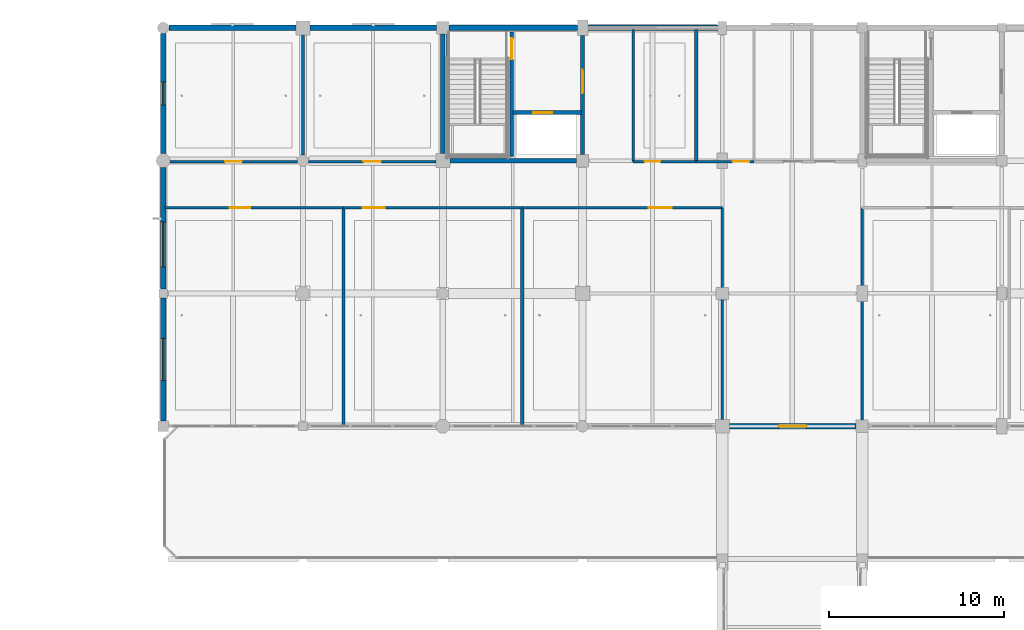
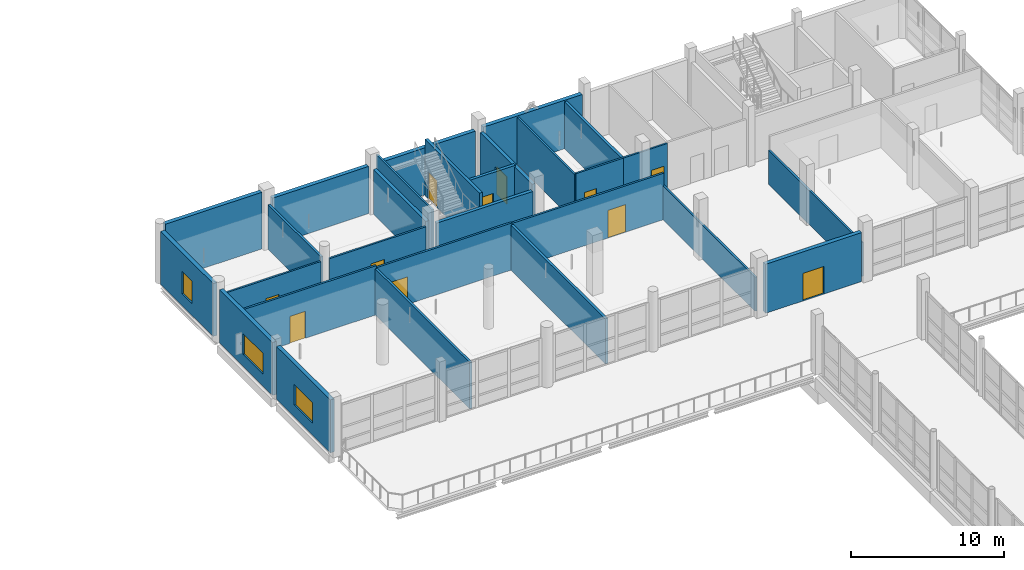
# One storey, part 96 of 141: 28 walls, 11 doors, 3 windows, 14 openings.
"""IFC4 building model written with IfcOpenShell, lengths in metres."""

from ifc_helpers import new_model, si_unit, direction, frame, frame_2d, origin, place, context, subcontext, project, spatial, rectangle, extrude, material, layer, layer_set, type_object, element, fill, save


model = new_model("IFC4")

# Units and contexts
model_context = context("Model", 3, precision=1e-05, world=origin(), true_north=direction((0.0, 1.0)))
body_context = subcontext(model_context, "Body", "Model", "MODEL_VIEW")
ifc_project = project(units=[si_unit("LENGTHUNIT", "METRE"), si_unit("AREAUNIT", "SQUARE_METRE"), si_unit("VOLUMEUNIT", "CUBIC_METRE"), si_unit("PLANEANGLEUNIT", "RADIAN"), si_unit("MASSUNIT", "GRAM", prefix="KILO")], contexts=[model_context])

# Site, building, storey
site_placement = place(None, origin())
site = spatial("IfcSite", under=ifc_project, at=site_placement, CompositionType="ELEMENT")
building_placement = place(site_placement, origin())
building = spatial("IfcBuilding", under=site, at=building_placement, Name="Khelvaren Railside Concert Hall", CompositionType="ELEMENT")
storey_placement = place(building_placement, frame((0.0, 0.0, 10.199951171875)))
storey = spatial("IfcBuildingStorey", under=building, at=storey_placement, Name="L02", CompositionType="ELEMENT", Elevation=10.199951171875)

# Walls
ifc_material_1 = material(Name="Concrete C40/50", Category="concrete")
ifc_layer_1 = layer(ifc_material_1, 0.139892578125)
ifc_layer_set_1 = layer_set([ifc_layer_1], Name="Concrete C40/50")
wall_type_1 = type_object("IfcWallType", Name="CW17", PredefinedType="SOLIDWALL", material=ifc_layer_set_1)
wall_1_placement = place(storey_placement, frame((144.27490234375, 106.550048828125, 0.0), z_axis=(0.0, 0.0, 1.0), x_axis=(0.0, 1.0, 0.0)))
element("IfcWall", 1, at=wall_1_placement, inside=storey, type_object=wall_type_1, Name="Core Shaft Structural Liner Wall ST-09-L02", PredefinedType="SOLIDWALL", context=body_context, shape_type="SweptSolid", body=[
    extrude(rectangle(XDim=7.300048828125, YDim=0.139892578125, at=frame_2d((3.64990234375, 0.0))), origin(), (0.0, 0.0, 1.0), 4.52001953125),
])
ifc_layer_2 = layer(ifc_material_1, 0.25)
ifc_layer_set_2 = layer_set([ifc_layer_2], Name="Concrete C40/50")
wall_type_2 = type_object("IfcWallType", Name="CW82", PredefinedType="SOLIDWALL", material=ifc_layer_set_2)
wall_2_placement = place(storey_placement, frame((144.0, 106.800048828125, 0.0), z_axis=(0.0, 0.0, 1.0), x_axis=(0.0, 1.0, 0.0)))
element("IfcWall", 2, at=wall_2_placement, inside=storey, type_object=wall_type_2, Name="Core Enclosure Wall CWALL-ST-09-L02-W", PredefinedType="SOLIDWALL", context=body_context, shape_type="SweptSolid", body=[
    extrude(rectangle(XDim=6.849853515625, YDim=0.25, at=frame_2d((3.4248046875, 0.0))), origin(), (0.0, 0.0, 1.0), 3.56005859375),
])
wall_3_placement = place(storey_placement, frame((144.39990234375, 106.39990234375, 0.0), z_axis=(0.0, 0.0, 1.0), x_axis=(1.0, 0.0, 0.0)))
element("IfcWall", 3, at=wall_3_placement, inside=storey, type_object=wall_type_2, Name="Core Enclosure Wall CWALL-ST-09-L02-S", PredefinedType="SOLIDWALL", context=body_context, shape_type="SweptSolid", body=[
    extrude(rectangle(XDim=7.25, YDim=0.25, at=frame_2d((3.625, 0.0))), origin(), (0.0, 0.0, 1.0), 3.56005859375),
])

# Wall, opening, door
wall_4_placement = place(storey_placement, frame((152.0, 106.75, 0.0), z_axis=(0.0, 0.0, 1.0), x_axis=(0.0, 1.0, 0.0)))
wall_4 = element("IfcWall", 4, at=wall_4_placement, inside=storey, type_object=wall_type_2, Name="Core Enclosure Wall CWALL-ST-09-L02-E", PredefinedType="SOLIDWALL", context=body_context, shape_type="SweptSolid", body=[
    extrude(rectangle(XDim=6.800048828125, YDim=0.25, at=frame_2d((3.39990234375, 0.0))), origin(), (0.0, 0.0, 1.0), 3.760009765625),
])
opening_1_placement = place(wall_4_placement, frame((3.5, 0.0, 0.0)))
opening_1 = element("IfcOpeningElement", 5, at=opening_1_placement, cuts=wall_4, Name="Opening FDR34", PredefinedType="OPENING", context=body_context, shape_type="SweptSolid", body=[
    extrude(rectangle(XDim=1.35009765625, YDim=2.199951171875, at=frame_2d((0.675048828125, 1.10009765625))), frame((0.0, 0.135009765625, 0.0), z_axis=(0.0, -1.0, 0.0), x_axis=(1.0, 0.0, 0.0)), (0.0, 0.0, 1.0), 0.27001953125),
])
ifc_material_2 = material(Name="Acoustic fire-rated timber-core steel frame door", Category="steel")
door_type_1 = type_object("IfcDoorType", Name="FDR34", OperationType="NOTDEFINED", PredefinedType="DOOR", material=ifc_material_2)
door_1_placement = place(opening_1_placement, origin())
door_1 = element("IfcDoor", 6, at=door_1_placement, inside=storey, type_object=door_type_1, Name="Interior Door DR-ST-09-L02-LOB", OperationType="SINGLE_SWING_LEFT", OverallHeight=2.199951171875, OverallWidth=1.35009765625, PredefinedType="DOOR", context=body_context, shape_type="SweptSolid", body=[
    extrude(rectangle(XDim=1.35009765625, YDim=2.199951171875, at=frame_2d((0.675048828125, 1.10009765625))), frame((0.0, 0.02490234375, 0.0), z_axis=(0.0, -1.0, 0.0), x_axis=(1.0, 0.0, 0.0)), (0.0, 0.0, 1.0), 0.050048828125),
])
fill(opening_1, door_1)

ifc_layer_3 = layer(ifc_material_1, 0.219970703125)
ifc_layer_set_3 = layer_set([ifc_layer_3], Name="Concrete C40/50")
wall_type_3 = type_object("IfcWallType", Name="CW97", PredefinedType="SOLIDWALL", material=ifc_layer_set_3)
wall_5_placement = place(storey_placement, frame((147.949951171875, 106.64990234375, 0.0), z_axis=(0.0, 0.0, 1.0), x_axis=(0.0, 1.0, 0.0)))
wall_5 = element("IfcWall", 7, at=wall_5_placement, inside=storey, type_object=wall_type_3, Name="Core Enclosure Wall CWALL-ST-09-L02-MID", PredefinedType="SOLIDWALL", context=body_context, shape_type="SweptSolid", body=[
    extrude(rectangle(XDim=7.10009765625, YDim=0.219970703125, at=frame_2d((3.550048828125, 0.0))), origin(), (0.0, 0.0, 1.0), 4.52001953125),
])
opening_2_placement = place(wall_5_placement, frame((5.550048828125, 0.0, 0.0)))
opening_2 = element("IfcOpeningElement", 8, at=opening_2_placement, cuts=wall_5, Name="Opening FDR17", PredefinedType="OPENING", context=body_context, shape_type="SweptSolid", body=[
    extrude(rectangle(XDim=1.199951171875, YDim=2.14990234375, at=frame_2d((0.60009765625, 1.074951171875))), frame((0.0, 0.119873046875, 0.0), z_axis=(0.0, -1.0, 0.0), x_axis=(1.0, 0.0, 0.0)), (0.0, 0.0, 1.0), 0.239990234375),
])
door_type_2 = type_object("IfcDoorType", Name="FDR17", OperationType="NOTDEFINED", PredefinedType="DOOR", material=ifc_material_2)
door_2_placement = place(opening_2_placement, origin())
door_2 = element("IfcDoor", 9, at=door_2_placement, inside=storey, type_object=door_type_2, Name="Interior Door DR-ST-09-L02-ST", OperationType="SINGLE_SWING_RIGHT", OverallHeight=2.14990234375, OverallWidth=1.199951171875, PredefinedType="DOOR", context=body_context, shape_type="SweptSolid", body=[
    extrude(rectangle(XDim=1.199951171875, YDim=2.14990234375, at=frame_2d((0.60009765625, 1.074951171875))), frame((0.0, 0.02490234375, 0.0), z_axis=(0.0, -1.0, 0.0), x_axis=(1.0, 0.0, 0.0)), (0.0, 0.0, 1.0), 0.050048828125),
])
fill(opening_2, door_2)

wall_6_placement = place(storey_placement, frame((148.02001953125, 109.14990234375, 0.0), z_axis=(0.0, 0.0, 1.0), x_axis=(1.0, 0.0, 0.0)))
wall_6 = element("IfcWall", 10, at=wall_6_placement, inside=storey, type_object=wall_type_3, Name="Core Enclosure Wall CWALL-ST-09-L02-SHF", PredefinedType="SOLIDWALL", context=body_context, shape_type="SweptSolid", body=[
    extrude(rectangle(XDim=3.929931640625, YDim=0.219970703125, at=frame_2d((1.96484375, 0.0))), origin(), (0.0, 0.0, 1.0), 3.8701171875),
])
opening_3_placement = place(wall_6_placement, frame((1.14990234375, 0.0, 0.0)))
opening_3 = element("IfcOpeningElement", 11, at=opening_3_placement, cuts=wall_6, Name="Opening LD-FL-02", PredefinedType="OPENING", context=body_context, shape_type="SweptSolid", body=[
    extrude(rectangle(XDim=1.10009765625, YDim=2.199951171875, at=frame_2d((0.550048828125, 1.10009765625))), frame((0.0, 0.119873046875, 0.0), z_axis=(0.0, -1.0, 0.0), x_axis=(1.0, 0.0, 0.0)), (0.0, 0.0, 1.0), 0.239990234375),
])
ifc_material_3 = material(Name="Fire-rated brushed stainless steel landing door", Category="steel")
door_type_3 = type_object("IfcDoorType", Name="LD96", OperationType="DOUBLE_DOOR_SLIDING", PredefinedType="DOOR", material=ifc_material_3)
door_3_placement = place(opening_3_placement, origin())
door_3 = element("IfcDoor", 12, at=door_3_placement, inside=storey, type_object=door_type_3, Name="Lift Landing Door LD-FL-02-L02", OperationType="DOUBLE_DOOR_SLIDING", OverallHeight=2.199951171875, OverallWidth=1.10009765625, PredefinedType="DOOR", context=body_context, shape_type="SweptSolid", body=[
    extrude(rectangle(XDim=1.10009765625, YDim=2.199951171875, at=frame_2d((0.550048828125, 1.10009765625))), frame((0.0, 0.02490234375, 0.0), z_axis=(0.0, -1.0, 0.0), x_axis=(1.0, 0.0, 0.0)), (0.0, 0.0, 1.0), 0.050048828125),
])
fill(opening_3, door_3)

ifc_material_4 = material(Name="Board-marked architectural concrete C40/50", Category="concrete")
ifc_layer_4 = layer(ifc_material_4, 0.300048828125)
ifc_layer_set_4 = layer_set([ifc_layer_4], Name="Board-marked architectural concrete C40/50")
wall_type_4 = type_object("IfcWallType", Name="EW54", PredefinedType="SOLIDWALL", material=ifc_layer_set_4)
wall_7_placement = place(storey_placement, frame((167.64990234375, 91.199951171875, 0.0), z_axis=(0.0, 0.0, 1.0), x_axis=(-1.0, 0.0, 0.0)))
wall_7 = element("IfcWall", 13, at=wall_7_placement, inside=storey, type_object=wall_type_4, Name="V5 L02 Exterior Concrete Wall S-160", PredefinedType="SOLIDWALL", context=body_context, shape_type="SweptSolid", body=[
    extrude(rectangle(XDim=7.25, YDim=0.300048828125, at=frame_2d((3.625, 0.0))), origin(), (0.0, 0.0, 1.0), 3.91015625),
])
opening_4_placement = place(wall_7_placement, frame((2.824951171875, 0.0, 0.0)))
opening_4 = element("IfcOpeningElement", 14, at=opening_4_placement, cuts=wall_7, Name="Opening TDR21", PredefinedType="OPENING", context=body_context, shape_type="SweptSolid", body=[
    extrude(rectangle(XDim=1.60009765625, YDim=2.199951171875, at=frame_2d((0.800048828125, 1.10009765625))), frame((0.0, 0.159912109375, 0.0), z_axis=(0.0, -1.0, 0.0), x_axis=(1.0, 0.0, 0.0)), (0.0, 0.0, 1.0), 0.320068359375),
])
ifc_material_5 = material(Name="Glazed thermally broken terrace door", Category="aluminium")
door_type_4 = type_object("IfcDoorType", Name="TDR21", OperationType="NOTDEFINED", PredefinedType="DOOR", material=ifc_material_5)
door_4_placement = place(opening_4_placement, origin())
door_4 = element("IfcDoor", 15, at=door_4_placement, inside=storey, type_object=door_type_4, Name="V5 L02 Outdoor Terrace Access Door", OperationType="SINGLE_SWING_RIGHT", OverallHeight=2.199951171875, OverallWidth=1.60009765625, PredefinedType="DOOR", context=body_context, shape_type="SweptSolid", body=[
    extrude(rectangle(XDim=1.60009765625, YDim=2.199951171875, at=frame_2d((0.800048828125, 1.10009765625))), frame((0.0, 0.02490234375, 0.0), z_axis=(0.0, -1.0, 0.0), x_axis=(1.0, 0.0, 0.0)), (0.0, 0.0, 1.0), 0.050048828125),
])
fill(opening_4, door_4)

# Wall, opening, window
wall_8_placement = place(storey_placement, frame((128.0, 91.5, 0.0), z_axis=(0.0, 0.0, 1.0), x_axis=(0.0, 1.0, 0.0)))
wall_8 = element("IfcWall", 16, at=wall_8_placement, inside=storey, type_object=wall_type_4, Name="V5 L02 Exterior Concrete Wall W-91", PredefinedType="SOLIDWALL", context=body_context, shape_type="SweptSolid", body=[
    extrude(rectangle(XDim=7.050048828125, YDim=0.300048828125, at=frame_2d((3.52490234375, 0.0))), origin(), (0.0, 0.0, 1.0), 4.219970703125),
])
opening_5_placement = place(wall_8_placement, frame((2.324951171875, 0.0, 0.949951171875)))
opening_5 = element("IfcOpeningElement", 17, at=opening_5_placement, cuts=wall_8, Name="Opening WN15", PredefinedType="OPENING", context=body_context, shape_type="SweptSolid", body=[
    extrude(rectangle(XDim=2.39990234375, YDim=1.64990234375, at=frame_2d((1.199951171875, 0.824951171875))), frame((0.0, 0.159912109375, 0.0), z_axis=(0.0, -1.0, 0.0), x_axis=(1.0, 0.0, 0.0)), (0.0, 0.0, 1.0), 0.320068359375),
])
ifc_material_6 = material(Name="Triple-glazed acoustic aluminium window", Category="aluminium")
window_type_1 = type_object("IfcWindowType", Name="WN15", PartitioningType="DOUBLE_PANEL_VERTICAL", PredefinedType="WINDOW", material=ifc_material_6)
window_1_placement = place(opening_5_placement, origin())
window_1 = element("IfcWindow", 18, at=window_1_placement, inside=storey, type_object=window_type_1, Name="Acoustic Facade Window EW-V5-L02-W-91", OverallHeight=1.64990234375, OverallWidth=2.39990234375, PartitioningType="DOUBLE_PANEL_VERTICAL", PredefinedType="WINDOW", context=body_context, shape_type="SweptSolid", body=[
    extrude(rectangle(XDim=2.39990234375, YDim=1.64990234375, at=frame_2d((1.199951171875, 0.824951171875))), frame((0.0, 0.030029296875, 0.0), z_axis=(0.0, -1.0, 0.0), x_axis=(1.0, 0.0, 0.0)), (0.0, 0.0, 1.0), 0.06005859375),
])
fill(opening_5, window_1)

wall_9_placement = place(storey_placement, frame((128.0, 99.050048828125, 0.0), z_axis=(0.0, 0.0, 1.0), x_axis=(0.0, 1.0, 0.0)))
wall_9 = element("IfcWall", 19, at=wall_9_placement, inside=storey, type_object=wall_type_4, Name="V5 L02 Exterior Concrete Wall W-99", PredefinedType="SOLIDWALL", context=body_context, shape_type="SweptSolid", body=[
    extrude(rectangle(XDim=6.949951171875, YDim=0.300048828125, at=frame_2d((3.47509765625, 0.0))), origin(), (0.0, 0.0, 1.0), 4.219970703125),
])
opening_6_placement = place(wall_9_placement, frame((1.25, 0.0, 0.949951171875)))
opening_6 = element("IfcOpeningElement", 20, at=opening_6_placement, cuts=wall_9, Name="Opening WN31", PredefinedType="OPENING", context=body_context, shape_type="SweptSolid", body=[
    extrude(rectangle(XDim=2.60009765625, YDim=1.64990234375, at=frame_2d((1.300048828125, 0.824951171875))), frame((0.0, 0.159912109375, 0.0), z_axis=(0.0, -1.0, 0.0), x_axis=(1.0, 0.0, 0.0)), (0.0, 0.0, 1.0), 0.320068359375),
])
window_type_2 = type_object("IfcWindowType", Name="WN31", PartitioningType="DOUBLE_PANEL_VERTICAL", PredefinedType="WINDOW", material=ifc_material_6)
window_2_placement = place(opening_6_placement, origin())
window_2 = element("IfcWindow", 21, at=window_2_placement, inside=storey, type_object=window_type_2, Name="Acoustic Facade Window EW-V5-L02-W-99", OverallHeight=1.64990234375, OverallWidth=2.60009765625, PartitioningType="DOUBLE_PANEL_VERTICAL", PredefinedType="WINDOW", context=body_context, shape_type="SweptSolid", body=[
    extrude(rectangle(XDim=2.60009765625, YDim=1.64990234375, at=frame_2d((1.300048828125, 0.824951171875))), frame((0.0, 0.030029296875, 0.0), z_axis=(0.0, -1.0, 0.0), x_axis=(1.0, 0.0, 0.0)), (0.0, 0.0, 1.0), 0.06005859375),
])
fill(opening_6, window_2)

wall_10_placement = place(storey_placement, frame((128.0, 106.800048828125, 0.0), z_axis=(0.0, 0.0, 1.0), x_axis=(0.0, 1.0, 0.0)))
wall_10 = element("IfcWall", 22, at=wall_10_placement, inside=storey, type_object=wall_type_4, Name="V5 L02 Exterior Concrete Wall W-106", PredefinedType="SOLIDWALL", context=body_context, shape_type="SweptSolid", body=[
    extrude(rectangle(XDim=6.875, YDim=0.300048828125, at=frame_2d((3.4375, 0.0))), origin(), (0.0, 0.0, 1.0), 4.219970703125),
])
opening_7_placement = place(wall_10_placement, frame((2.78759765625, 0.0, 0.949951171875)))
opening_7 = element("IfcOpeningElement", 23, at=opening_7_placement, cuts=wall_10, Name="Opening WN95", PredefinedType="OPENING", context=body_context, shape_type="SweptSolid", body=[
    extrude(rectangle(XDim=1.300048828125, YDim=1.800048828125, at=frame_2d((0.64990234375, 0.89990234375))), frame((0.0, 0.159912109375, 0.0), z_axis=(0.0, -1.0, 0.0), x_axis=(1.0, 0.0, 0.0)), (0.0, 0.0, 1.0), 0.320068359375),
])
window_type_3 = type_object("IfcWindowType", Name="WN95", PartitioningType="SINGLE_PANEL", PredefinedType="WINDOW", material=ifc_material_6)
window_3_placement = place(opening_7_placement, origin())
window_3 = element("IfcWindow", 24, at=window_3_placement, inside=storey, type_object=window_type_3, Name="Acoustic Facade Window EW-V5-L02-W-106", OverallHeight=1.800048828125, OverallWidth=1.300048828125, PartitioningType="SINGLE_PANEL", PredefinedType="WINDOW", context=body_context, shape_type="SweptSolid", body=[
    extrude(rectangle(XDim=1.300048828125, YDim=1.800048828125, at=frame_2d((0.64990234375, 0.89990234375))), frame((0.0, 0.030029296875, 0.0), z_axis=(0.0, -1.0, 0.0), x_axis=(1.0, 0.0, 0.0)), (0.0, 0.0, 1.0), 0.06005859375),
])
fill(opening_7, window_3)

# Walls
wall_11_placement = place(storey_placement, frame((128.324951171875, 114.0, 0.0), z_axis=(0.0, 0.0, 1.0), x_axis=(1.0, 0.0, 0.0)))
element("IfcWall", 25, at=wall_11_placement, inside=storey, type_object=wall_type_4, Name="V5 L02 Exterior Concrete Wall N-128", PredefinedType="SOLIDWALL", context=body_context, shape_type="SweptSolid", body=[
    extrude(rectangle(XDim=7.275146484375, YDim=0.300048828125, at=frame_2d((3.6376953125, 0.0))), origin(), (0.0, 0.0, 1.0), 4.52001953125),
])
wall_12_placement = place(storey_placement, frame((136.39990234375, 114.0, 0.0), z_axis=(0.0, 0.0, 1.0), x_axis=(1.0, 0.0, 0.0)))
element("IfcWall", 26, at=wall_12_placement, inside=storey, type_object=wall_type_4, Name="V5 L02 Exterior Concrete Wall N-136", PredefinedType="SOLIDWALL", context=body_context, shape_type="SweptSolid", body=[
    extrude(rectangle(XDim=7.25, YDim=0.300048828125, at=frame_2d((3.625, 0.0))), origin(), (0.0, 0.0, 1.0), 3.760009765625),
])
wall_13_placement = place(storey_placement, frame((144.35009765625, 114.0, 0.0), z_axis=(0.0, 0.0, 1.0), x_axis=(1.0, 0.0, 0.0)))
element("IfcWall", 27, at=wall_13_placement, inside=storey, type_object=wall_type_4, Name="V5 L02 Exterior Concrete Wall N-144", PredefinedType="SOLIDWALL", context=body_context, shape_type="SweptSolid", body=[
    extrude(rectangle(XDim=7.349853515625, YDim=0.300048828125, at=frame_2d((3.6748046875, 0.0))), origin(), (0.0, 0.0, 1.0), 3.760009765625),
])
wall_14_placement = place(storey_placement, frame((152.300048828125, 114.0, 0.0), z_axis=(0.0, 0.0, 1.0), x_axis=(1.0, 0.0, 0.0)))
element("IfcWall", 28, at=wall_14_placement, inside=storey, type_object=wall_type_4, Name="V5 L02 Exterior Concrete Wall N-152", PredefinedType="SOLIDWALL", context=body_context, shape_type="SweptSolid", body=[
    extrude(rectangle(XDim=7.449951171875, YDim=0.300048828125, at=frame_2d((3.72509765625, 0.0))), origin(), (0.0, 0.0, 1.0), 3.860107421875),
])
ifc_material_7 = material(Name="Acoustic double-stud gypsum partition", Category="gypsum")
ifc_layer_5 = layer(ifc_material_7, 0.18994140625)
ifc_layer_set_5 = layer_set([ifc_layer_5], Name="Acoustic double-stud gypsum partition")
wall_type_5 = type_object("IfcWallType", Name="PT17", PredefinedType="PARTITIONING", material=ifc_layer_set_5)
wall_15_placement = place(storey_placement, frame((148.555908203125, 91.280029296875, 0.0), z_axis=(0.0, 0.0, 1.0), x_axis=(0.0, 1.0, 0.0)))
element("IfcWall", 29, at=wall_15_placement, inside=storey, type_object=wall_type_5, Name="Acoustic Partition Wall PW-V5-L02-S1-D02", PredefinedType="PARTITIONING", context=body_context, shape_type="SweptSolid", body=[
    extrude(rectangle(XDim=12.419921875, YDim=0.18994140625, at=frame_2d((6.2099609375, 0.0))), origin(), (0.0, 0.0, 1.0), 3.594970703125),
])

# Wall, opening, door
ifc_layer_6 = layer(ifc_material_7, 0.139892578125)
ifc_layer_set_6 = layer_set([ifc_layer_6], Name="Acoustic double-stud gypsum partition")
wall_type_6 = type_object("IfcWallType", Name="PT55", PredefinedType="PARTITIONING", material=ifc_layer_set_6)
wall_16_placement = place(storey_placement, frame((128.39990234375, 106.35009765625, 0.0), z_axis=(0.0, 0.0, 1.0), x_axis=(1.0, 0.0, 0.0)))
wall_16 = element("IfcWall", 30, at=wall_16_placement, inside=storey, type_object=wall_type_6, Name="Acoustic Partition Wall PW-V5-L02-NW-C01", PredefinedType="PARTITIONING", context=body_context, shape_type="SweptSolid", body=[
    extrude(rectangle(XDim=7.275146484375, YDim=0.139892578125, at=frame_2d((3.6376953125, 0.0))), origin(), (0.0, 0.0, 1.0), 3.56005859375),
])
opening_8_placement = place(wall_16_placement, frame((3.137451171875, 0.0, 0.0)))
opening_8 = element("IfcOpeningElement", 31, at=opening_8_placement, cuts=wall_16, Name="Opening IDR50", PredefinedType="OPENING", context=body_context, shape_type="SweptSolid", body=[
    extrude(rectangle(XDim=0.9599609375, YDim=2.050048828125, at=frame_2d((0.47998046875, 1.02490234375))), frame((0.0, 0.079833984375, 0.0), z_axis=(0.0, -1.0, 0.0), x_axis=(1.0, 0.0, 0.0)), (0.0, 0.0, 1.0), 0.159912109375),
])
ifc_material_8 = material(Name="Solid oak acoustic studio door", Category="wood")
door_type_5 = type_object("IfcDoorType", Name="IDR50", OperationType="NOTDEFINED", PredefinedType="DOOR", material=ifc_material_8)
door_5_placement = place(opening_8_placement, origin())
door_5 = element("IfcDoor", 32, at=door_5_placement, inside=storey, type_object=door_type_5, Name="Interior Door DR-V5-L02-NW-01", OperationType="SINGLE_SWING_LEFT", OverallHeight=2.050048828125, OverallWidth=0.9599609375, PredefinedType="DOOR", context=body_context, shape_type="SweptSolid", body=[
    extrude(rectangle(XDim=0.9599609375, YDim=2.050048828125, at=frame_2d((0.47998046875, 1.02490234375))), frame((0.0, 0.02490234375, 0.0), z_axis=(0.0, -1.0, 0.0), x_axis=(1.0, 0.0, 0.0)), (0.0, 0.0, 1.0), 0.050048828125),
])
fill(opening_8, door_5)

wall_17_placement = place(storey_placement, frame((136.324951171875, 106.35009765625, 0.0), z_axis=(0.0, 0.0, 1.0), x_axis=(1.0, 0.0, 0.0)))
wall_17 = element("IfcWall", 33, at=wall_17_placement, inside=storey, type_object=wall_type_6, Name="Acoustic Partition Wall PW-V5-L02-NW-C02", PredefinedType="PARTITIONING", context=body_context, shape_type="SweptSolid", body=[
    extrude(rectangle(XDim=7.275146484375, YDim=0.139892578125, at=frame_2d((3.6376953125, 0.0))), origin(), (0.0, 0.0, 1.0), 3.56005859375),
])
opening_9_placement = place(wall_17_placement, frame((3.137451171875, 0.0, 0.0)))
opening_9 = element("IfcOpeningElement", 34, at=opening_9_placement, cuts=wall_17, Name="Opening IDR21", PredefinedType="OPENING", context=body_context, shape_type="SweptSolid", body=[
    extrude(rectangle(XDim=1.0, YDim=2.050048828125, at=frame_2d((0.5, 1.02490234375))), frame((0.0, 0.079833984375, 0.0), z_axis=(0.0, -1.0, 0.0), x_axis=(1.0, 0.0, 0.0)), (0.0, 0.0, 1.0), 0.159912109375),
])
door_type_6 = type_object("IfcDoorType", Name="IDR21", OperationType="NOTDEFINED", PredefinedType="DOOR", material=ifc_material_8)
door_6_placement = place(opening_9_placement, origin())
door_6 = element("IfcDoor", 35, at=door_6_placement, inside=storey, type_object=door_type_6, Name="Interior Door DR-V5-L02-NW-02", OperationType="SINGLE_SWING_RIGHT", OverallHeight=2.050048828125, OverallWidth=1.0, PredefinedType="DOOR", context=body_context, shape_type="SweptSolid", body=[
    extrude(rectangle(XDim=1.0, YDim=2.050048828125, at=frame_2d((0.5, 1.02490234375))), frame((0.0, 0.02490234375, 0.0), z_axis=(0.0, -1.0, 0.0), x_axis=(1.0, 0.0, 0.0)), (0.0, 0.0, 1.0), 0.050048828125),
])
fill(opening_9, door_6)

wall_18_placement = place(storey_placement, frame((154.89990234375, 106.35009765625, 0.0), z_axis=(0.0, 0.0, 1.0), x_axis=(1.0, 0.0, 0.0)))
wall_18 = element("IfcWall", 36, at=wall_18_placement, inside=storey, type_object=wall_type_6, Name="Acoustic Partition Wall PW-V5-L02-N-C01", PredefinedType="PARTITIONING", context=body_context, shape_type="SweptSolid", body=[
    extrude(rectangle(XDim=3.606201171875, YDim=0.139892578125, at=frame_2d((1.80322265625, 0.0))), origin(), (0.0, 0.0, 1.0), 3.820068359375),
])
opening_10_placement = place(wall_18_placement, frame((0.6533203125, 0.0, 0.0)))
opening_10 = element("IfcOpeningElement", 37, at=opening_10_placement, cuts=wall_18, Name="Opening IDR56", PredefinedType="OPENING", context=body_context, shape_type="SweptSolid", body=[
    extrude(rectangle(XDim=0.89990234375, YDim=2.10009765625, at=frame_2d((0.449951171875, 1.050048828125))), frame((0.0, 0.079833984375, 0.0), z_axis=(0.0, -1.0, 0.0), x_axis=(1.0, 0.0, 0.0)), (0.0, 0.0, 1.0), 0.159912109375),
])
door_type_7 = type_object("IfcDoorType", Name="IDR56", OperationType="NOTDEFINED", PredefinedType="DOOR", material=ifc_material_8)
door_7_placement = place(opening_10_placement, origin())
door_7 = element("IfcDoor", 38, at=door_7_placement, inside=storey, type_object=door_type_7, Name="Interior Door DR-V5-L02-N-01", OperationType="SINGLE_SWING_LEFT", OverallHeight=2.10009765625, OverallWidth=0.89990234375, PredefinedType="DOOR", context=body_context, shape_type="SweptSolid", body=[
    extrude(rectangle(XDim=0.89990234375, YDim=2.10009765625, at=frame_2d((0.449951171875, 1.050048828125))), frame((0.0, 0.02490234375, 0.0), z_axis=(0.0, -1.0, 0.0), x_axis=(1.0, 0.0, 0.0)), (0.0, 0.0, 1.0), 0.050048828125),
])
fill(opening_10, door_7)

wall_19_placement = place(storey_placement, frame((158.506103515625, 106.35009765625, 0.0), z_axis=(0.0, 0.0, 1.0), x_axis=(1.0, 0.0, 0.0)))
wall_19 = element("IfcWall", 39, at=wall_19_placement, inside=storey, type_object=wall_type_6, Name="Acoustic Partition Wall PW-V5-L02-N-C02", PredefinedType="PARTITIONING", context=body_context, shape_type="SweptSolid", body=[
    extrude(rectangle(XDim=3.304931640625, YDim=0.139892578125, at=frame_2d((1.65234375, 0.0))), origin(), (0.0, 0.0, 1.0), 3.820068359375),
])
opening_11_placement = place(wall_19_placement, frame((2.0849609375, 0.0, 0.0)))
opening_11 = element("IfcOpeningElement", 40, at=opening_11_placement, cuts=wall_19, Name="Opening IDR22", PredefinedType="OPENING", context=body_context, shape_type="SweptSolid", body=[
    extrude(rectangle(XDim=0.9599609375, YDim=2.10009765625, at=frame_2d((0.47998046875, 1.050048828125))), frame((0.0, 0.079833984375, 0.0), z_axis=(0.0, -1.0, 0.0), x_axis=(1.0, 0.0, 0.0)), (0.0, 0.0, 1.0), 0.159912109375),
])
door_type_8 = type_object("IfcDoorType", Name="IDR22", OperationType="NOTDEFINED", PredefinedType="DOOR", material=ifc_material_8)
door_8_placement = place(opening_11_placement, origin())
door_8 = element("IfcDoor", 41, at=door_8_placement, inside=storey, type_object=door_type_8, Name="Interior Door DR-V5-L02-N-02", OperationType="SINGLE_SWING_RIGHT", OverallHeight=2.10009765625, OverallWidth=0.9599609375, PredefinedType="DOOR", context=body_context, shape_type="SweptSolid", body=[
    extrude(rectangle(XDim=0.9599609375, YDim=2.10009765625, at=frame_2d((0.47998046875, 1.050048828125))), frame((0.0, 0.02490234375, 0.0), z_axis=(0.0, -1.0, 0.0), x_axis=(1.0, 0.0, 0.0)), (0.0, 0.0, 1.0), 0.050048828125),
])
fill(opening_11, door_8)

# Wall
wall_20_placement = place(storey_placement, frame((154.89990234375, 106.35009765625, 0.0), z_axis=(0.0, 0.0, 1.0), x_axis=(0.0, 1.0, 0.0)))
element("IfcWall", 42, at=wall_20_placement, inside=storey, type_object=wall_type_6, Name="Acoustic Partition Wall PW-V5-L02-N-W0", PredefinedType="PARTITIONING", context=body_context, shape_type="SweptSolid", body=[
    extrude(rectangle(XDim=7.56982421875, YDim=0.139892578125, at=frame_2d((3.784912109375, 0.0))), origin(), (0.0, 0.0, 1.0), 3.7451171875),
])

# Wall, opening, door
ifc_layer_7 = layer(ifc_material_7, 0.14990234375)
ifc_layer_set_7 = layer_set([ifc_layer_7], Name="Acoustic double-stud gypsum partition")
wall_type_7 = type_object("IfcWallType", Name="PT72", PredefinedType="PARTITIONING", material=ifc_layer_set_7)
wall_21_placement = place(storey_placement, frame((128.080078125, 103.699951171875, 0.0), z_axis=(0.0, 0.0, 1.0), x_axis=(1.0, 0.0, 0.0)))
wall_21 = element("IfcWall", 43, at=wall_21_placement, inside=storey, type_object=wall_type_7, Name="Acoustic Partition Wall PW-V5-L02-S1-C01", PredefinedType="PARTITIONING", context=body_context, shape_type="SweptSolid", body=[
    extrude(rectangle(XDim=10.238037109375, YDim=0.14990234375, at=frame_2d((5.119140625, 0.0))), origin(), (0.0, 0.0, 1.0), 3.9150390625),
])
opening_12_placement = place(wall_21_placement, frame((3.7392578125, 0.0, 0.0)))
opening_12 = element("IfcOpeningElement", 44, at=opening_12_placement, cuts=wall_21, Name="Opening IDR73", PredefinedType="OPENING", context=body_context, shape_type="SweptSolid", body=[
    extrude(rectangle(XDim=1.14990234375, YDim=2.14990234375, at=frame_2d((0.574951171875, 1.074951171875))), frame((0.0, 0.0849609375, 0.0), z_axis=(0.0, -1.0, 0.0), x_axis=(1.0, 0.0, 0.0)), (0.0, 0.0, 1.0), 0.169921875),
])
door_type_9 = type_object("IfcDoorType", Name="IDR73", OperationType="NOTDEFINED", PredefinedType="DOOR", material=ifc_material_8)
door_9_placement = place(opening_12_placement, origin())
door_9 = element("IfcDoor", 45, at=door_9_placement, inside=storey, type_object=door_type_9, Name="Interior Door DR-V5-L02-S1-01", OperationType="SINGLE_SWING_RIGHT", OverallHeight=2.14990234375, OverallWidth=1.14990234375, PredefinedType="DOOR", context=body_context, shape_type="SweptSolid", body=[
    extrude(rectangle(XDim=1.14990234375, YDim=2.14990234375, at=frame_2d((0.574951171875, 1.074951171875))), frame((0.0, 0.02490234375, 0.0), z_axis=(0.0, -1.0, 0.0), x_axis=(1.0, 0.0, 0.0)), (0.0, 0.0, 1.0), 0.050048828125),
])
fill(opening_12, door_9)

wall_22_placement = place(storey_placement, frame((138.318115234375, 103.699951171875, 0.0), z_axis=(0.0, 0.0, 1.0), x_axis=(1.0, 0.0, 0.0)))
wall_22 = element("IfcWall", 46, at=wall_22_placement, inside=storey, type_object=wall_type_7, Name="Acoustic Partition Wall PW-V5-L02-S1-C02", PredefinedType="PARTITIONING", context=body_context, shape_type="SweptSolid", body=[
    extrude(rectangle(XDim=10.23779296875, YDim=0.14990234375, at=frame_2d((5.118896484375, 0.0))), origin(), (0.0, 0.0, 1.0), 3.7451171875),
])
opening_13_placement = place(wall_22_placement, frame((1.099853515625, 0.0, 0.0)))
opening_13 = element("IfcOpeningElement", 47, at=opening_13_placement, cuts=wall_22, Name="Opening IDR64", PredefinedType="OPENING", context=body_context, shape_type="SweptSolid", body=[
    extrude(rectangle(XDim=1.260009765625, YDim=2.199951171875, at=frame_2d((0.6298828125, 1.10009765625))), frame((0.0, 0.0849609375, 0.0), z_axis=(0.0, -1.0, 0.0), x_axis=(1.0, 0.0, 0.0)), (0.0, 0.0, 1.0), 0.169921875),
])
door_type_10 = type_object("IfcDoorType", Name="IDR64", OperationType="NOTDEFINED", PredefinedType="DOOR", material=ifc_material_8)
door_10_placement = place(opening_13_placement, origin())
door_10 = element("IfcDoor", 48, at=door_10_placement, inside=storey, type_object=door_type_10, Name="Interior Door DR-V5-L02-S1-02", OperationType="SINGLE_SWING_LEFT", OverallHeight=2.199951171875, OverallWidth=1.260009765625, PredefinedType="DOOR", context=body_context, shape_type="SweptSolid", body=[
    extrude(rectangle(XDim=1.260009765625, YDim=2.199951171875, at=frame_2d((0.6298828125, 1.10009765625))), frame((0.0, 0.02490234375, 0.0), z_axis=(0.0, -1.0, 0.0), x_axis=(1.0, 0.0, 0.0)), (0.0, 0.0, 1.0), 0.050048828125),
])
fill(opening_13, door_10)

wall_23_placement = place(storey_placement, frame((148.555908203125, 103.699951171875, 0.0), z_axis=(0.0, 0.0, 1.0), x_axis=(1.0, 0.0, 0.0)))
wall_23 = element("IfcWall", 49, at=wall_23_placement, inside=storey, type_object=wall_type_7, Name="Acoustic Partition Wall PW-V5-L02-S1-C03", PredefinedType="PARTITIONING", context=body_context, shape_type="SweptSolid", body=[
    extrude(rectangle(XDim=11.444091796875, YDim=0.14990234375, at=frame_2d((5.72216796875, 0.0))), origin(), (0.0, 0.0, 1.0), 3.695068359375),
])
opening_14_placement = place(wall_23_placement, frame((7.222900390625, 0.0, 0.0)))
opening_14 = element("IfcOpeningElement", 50, at=opening_14_placement, cuts=wall_23, Name="Opening IDR52", PredefinedType="OPENING", context=body_context, shape_type="SweptSolid", body=[
    extrude(rectangle(XDim=1.340087890625, YDim=2.199951171875, at=frame_2d((0.669921875, 1.10009765625))), frame((0.0, 0.0849609375, 0.0), z_axis=(0.0, -1.0, 0.0), x_axis=(1.0, 0.0, 0.0)), (0.0, 0.0, 1.0), 0.169921875),
])
door_type_11 = type_object("IfcDoorType", Name="IDR52", OperationType="NOTDEFINED", PredefinedType="DOOR", material=ifc_material_8)
door_11_placement = place(opening_14_placement, origin())
door_11 = element("IfcDoor", 51, at=door_11_placement, inside=storey, type_object=door_type_11, Name="Interior Door DR-V5-L02-S1-03", OperationType="SINGLE_SWING_RIGHT", OverallHeight=2.199951171875, OverallWidth=1.340087890625, PredefinedType="DOOR", context=body_context, shape_type="SweptSolid", body=[
    extrude(rectangle(XDim=1.340087890625, YDim=2.199951171875, at=frame_2d((0.669921875, 1.10009765625))), frame((0.0, 0.02490234375, 0.0), z_axis=(0.0, -1.0, 0.0), x_axis=(1.0, 0.0, 0.0)), (0.0, 0.0, 1.0), 0.050048828125),
])
fill(opening_14, door_11)

# Walls
wall_24_placement = place(storey_placement, frame((160.0, 91.60009765625, 0.0), z_axis=(0.0, 0.0, 1.0), x_axis=(0.0, 1.0, 0.0)))
element("IfcWall", 52, at=wall_24_placement, inside=storey, type_object=wall_type_7, Name="Acoustic Partition Wall PW-V5-L02-S1-E0", PredefinedType="PARTITIONING", context=body_context, shape_type="SweptSolid", body=[
    extrude(rectangle(XDim=12.099853515625, YDim=0.14990234375, at=frame_2d((6.0498046875, 0.0))), origin(), (0.0, 0.0, 1.0), 2.7099609375),
])
wall_25_placement = place(storey_placement, frame((168.0, 91.550048828125, 0.0), z_axis=(0.0, 0.0, 1.0), x_axis=(0.0, 1.0, 0.0)))
element("IfcWall", 53, at=wall_25_placement, inside=storey, type_object=wall_type_7, Name="Acoustic Partition Wall PW-V5-L02-S2-W0", PredefinedType="PARTITIONING", context=body_context, shape_type="SweptSolid", body=[
    extrude(rectangle(XDim=12.14990234375, YDim=0.14990234375, at=frame_2d((6.074951171875, 0.0))), origin(), (0.0, 0.0, 1.0), 2.7099609375),
])
ifc_layer_8 = layer(ifc_material_7, 0.199951171875)
ifc_layer_set_8 = layer_set([ifc_layer_8], Name="Acoustic double-stud gypsum partition")
wall_type_8 = type_object("IfcWallType", Name="PT75", PredefinedType="PARTITIONING", material=ifc_layer_set_8)
wall_26_placement = place(storey_placement, frame((158.506103515625, 106.35009765625, 0.0), z_axis=(0.0, 0.0, 1.0), x_axis=(0.0, 1.0, 0.0)))
element("IfcWall", 54, at=wall_26_placement, inside=storey, type_object=wall_type_8, Name="Acoustic Partition Wall PW-V5-L02-N-D01", PredefinedType="PARTITIONING", context=body_context, shape_type="SweptSolid", body=[
    extrude(rectangle(XDim=7.56982421875, YDim=0.199951171875, at=frame_2d((3.784912109375, 0.0))), origin(), (0.0, 0.0, 1.0), 3.7451171875),
])
ifc_layer_9 = layer(ifc_material_7, 0.169921875)
ifc_layer_set_9 = layer_set([ifc_layer_9], Name="Acoustic double-stud gypsum partition")
wall_type_9 = type_object("IfcWallType", Name="PT94", PredefinedType="PARTITIONING", material=ifc_layer_set_9)
wall_27_placement = place(storey_placement, frame((138.318115234375, 91.280029296875, 0.0), z_axis=(0.0, 0.0, 1.0), x_axis=(0.0, 1.0, 0.0)))
element("IfcWall", 55, at=wall_27_placement, inside=storey, type_object=wall_type_9, Name="Acoustic Partition Wall PW-V5-L02-S1-D01", PredefinedType="PARTITIONING", context=body_context, shape_type="SweptSolid", body=[
    extrude(rectangle(XDim=12.419921875, YDim=0.169921875, at=frame_2d((6.2099609375, 0.0))), origin(), (0.0, 0.0, 1.0), 3.695068359375),
])
wall_28_placement = place(storey_placement, frame((136.0, 106.72509765625, 0.0), z_axis=(0.0, 0.0, 1.0), x_axis=(0.0, 1.0, 0.0)))
element("IfcWall", 56, at=wall_28_placement, inside=storey, type_object=wall_type_9, Name="Acoustic Partition Wall PW-V5-L02-NW-D01", PredefinedType="PARTITIONING", context=body_context, shape_type="SweptSolid", body=[
    extrude(rectangle(XDim=6.875, YDim=0.169921875, at=frame_2d((3.4375, 0.0))), origin(), (0.0, 0.0, 1.0), 3.56005859375),
])

save(model, "model.ifc")
